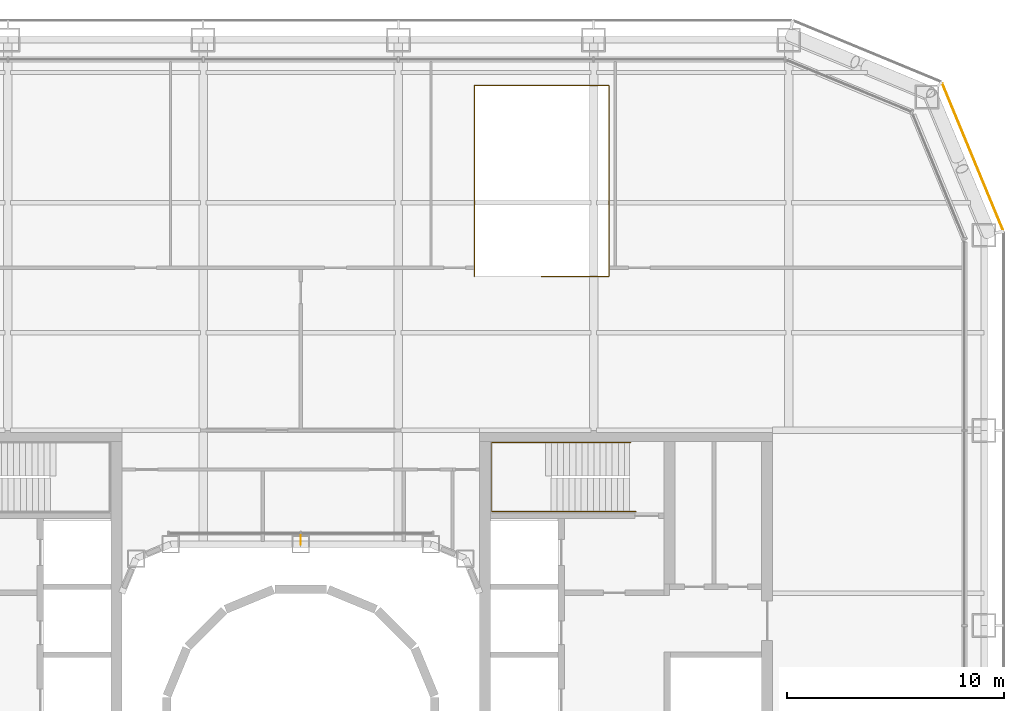
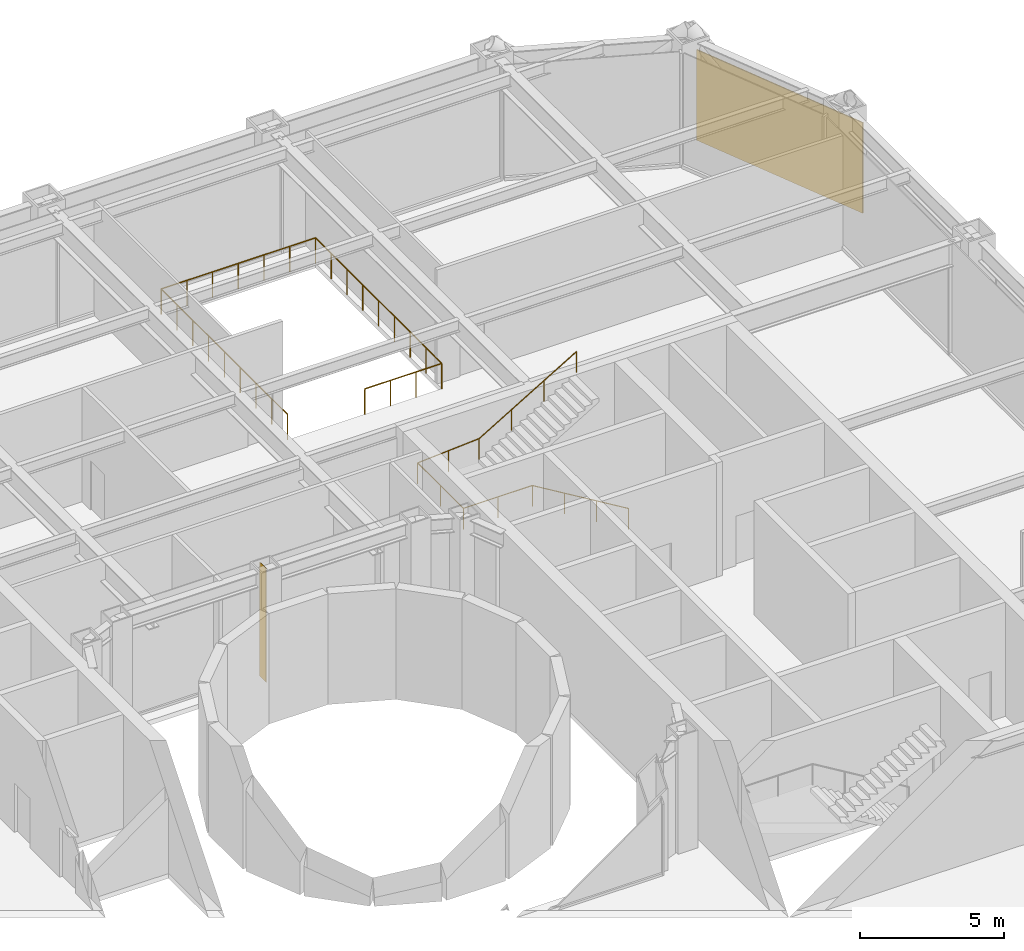
# One storey, part 23 of 24: 2 railings, 1 covering, 1 shading device.
"""IFC4 building model written with IfcOpenShell, lengths in metres."""

import ifcopenshell
import ifcopenshell.guid

model = None  # the IFC model being written
_history = None  # IfcOwnerHistory: only IFC2X3 demands one
_inside = {}  # id of a spatial element -> (the spatial element, [elements in it])
_under = {}  # id of a project, library or spatial element -> (it, [spatial elements below it])
_declared = {}  # id of a project -> (the project, [libraries it declares])
_typed = {}  # id of a type object -> (the type object, [elements of that type])
_made_of = {}  # id of a material, layer set ... -> (it, [elements and type objects made of it])


def new_model(schema):
    """Start an empty IFC model of exactly this schema.

    Asked for "IFC4X3", IfcOpenShell would pick the latest addendum, in which some entities
    have other attributes; the version numbers below select the first issue.
    IFC2X3 requires an IfcOwnerHistory on every rooted entity: one is made here for all.
    """
    global model, _history
    if schema == "IFC4X3":
        model = ifcopenshell.file(schema_version=(4, 3, 0, 0))
    else:
        model = ifcopenshell.file(schema=schema)
    _inside.clear()
    _under.clear()
    _declared.clear()
    _typed.clear()
    _made_of.clear()
    _history = None
    if model.schema == "IFC2X3":
        org = make("IfcOrganization", Name="unknown")
        user = make(
            "IfcPersonAndOrganization",
            ThePerson=make("IfcPerson", FamilyName="unknown"),
            TheOrganization=org,
        )
        app = make(
            "IfcApplication",
            ApplicationDeveloper=org,
            Version="unknown",
            ApplicationFullName="unknown",
            ApplicationIdentifier="unknown",
        )
        _history = make(
            "IfcOwnerHistory",
            OwningUser=user,
            OwningApplication=app,
            ChangeAction="ADDED",
            CreationDate=0,
        )
    return model


def make(cls, **values):
    """One entity of the class cls with the attributes given. An attribute that is None is left unset."""
    return model.create_entity(
        cls, **{name: value for name, value in values.items() if value is not None}
    )


def rooted(cls, **values):
    """An entity with a GlobalId (a new one), such as an element, a storey or a relation."""
    return make(cls, GlobalId=ifcopenshell.guid.new(), OwnerHistory=_history, **values)


def si_unit(unit_type, name, prefix=None):
    """IfcSIUnit, for example si_unit("LENGTHUNIT", "METRE", prefix="MILLI")."""
    return make("IfcSIUnit", UnitType=unit_type, Prefix=prefix, Name=name)


def assignment(units):
    """IfcUnitAssignment: the units of a project."""
    return None if units is None else make("IfcUnitAssignment", Units=units)


def point(xyz):
    """IfcCartesianPoint."""
    return None if xyz is None else make("IfcCartesianPoint", Coordinates=xyz)


def direction(xyz):
    """IfcDirection."""
    return None if xyz is None else make("IfcDirection", DirectionRatios=xyz)


def frame(location, z_axis=None, x_axis=None):
    """IfcAxis2Placement3D, a coordinate frame: its origin and axes. An axis left out is left unset."""
    return make(
        "IfcAxis2Placement3D",
        Location=point(location),
        Axis=direction(z_axis),
        RefDirection=direction(x_axis),
    )


def frame_2d(location, x_axis=None):
    """IfcAxis2Placement2D, a coordinate frame in the plane: its origin and x axis."""
    return make(
        "IfcAxis2Placement2D", Location=point(location), RefDirection=direction(x_axis)
    )


def origin():
    """The frame at (0, 0, 0) with its axes left unset."""
    return frame((0.0, 0.0, 0.0))


def origin_2d():
    """The frame at (0, 0) in the plane with its x axis left unset."""
    return frame_2d((0.0, 0.0))


def place(relative_to, where):
    """IfcLocalPlacement: puts the frame where relative to a parent placement (None: the world)."""
    return make(
        "IfcLocalPlacement", PlacementRelTo=relative_to, RelativePlacement=where
    )


def context(
    kind, dimensions, precision=None, world=None, true_north=None, identifier=None
):
    """IfcGeometricRepresentationContext, for example the 3D "Model" context."""
    return make(
        "IfcGeometricRepresentationContext",
        ContextIdentifier=identifier,
        ContextType=kind,
        CoordinateSpaceDimension=dimensions,
        Precision=precision,
        WorldCoordinateSystem=world,
        TrueNorth=true_north,
    )


def subcontext(parent, identifier, kind, view, scale=None):
    """IfcGeometricRepresentationSubContext, for example "Body" below "Model"."""
    return make(
        "IfcGeometricRepresentationSubContext",
        ContextIdentifier=identifier,
        ContextType=kind,
        ParentContext=parent,
        TargetScale=scale,
        TargetView=view,
    )


def project(units=None, contexts=None):
    """IfcProject with its units and contexts."""
    return rooted(
        "IfcProject",
        Name="project",
        RepresentationContexts=contexts,
        UnitsInContext=assignment(units),
    )


def spatial(cls, under=None, at=None, **own):
    """A site, building, storey or space (cls), placed at a placement, below another one or the project."""
    s = rooted(cls, ObjectPlacement=at, **own)
    if under is not None:
        _under.setdefault(under.id(), (under, []))[1].append(s)
    return s


def profile(cls, at=None, kind="AREA", **sizes):
    """A parametric profile (cls). Its sizes go by their IFC names, for example OverallWidth=200.0."""
    return make(cls, ProfileType=kind, Position=at, **sizes)


def rectangle(**sizes):
    """IfcRectangleProfileDef."""
    return profile("IfcRectangleProfileDef", **sizes)


def circle(**sizes):
    """IfcCircleProfileDef."""
    return profile("IfcCircleProfileDef", **sizes)


def extrude(swept, where, along, depth):
    """IfcExtrudedAreaSolid: the profile swept, set in the frame where, extruded along a direction by depth."""
    return make(
        "IfcExtrudedAreaSolid",
        SweptArea=swept,
        Position=where,
        ExtrudedDirection=direction(along),
        Depth=depth,
    )


def shape(context_of_items, identifier, shape_type, items):
    """IfcShapeRepresentation: the items that make up one representation, for example the "Body"."""
    return make(
        "IfcShapeRepresentation",
        ContextOfItems=context_of_items,
        RepresentationIdentifier=identifier,
        RepresentationType=shape_type,
        Items=items,
    )


def material(Name=None, Category=None):
    """IfcMaterial."""
    return make("IfcMaterial", Name=Name, Category=Category)


def layer(
    of_material, thickness, ventilated=None, Name=None, Category=None, Priority=None
):
    """IfcMaterialLayer: one layer of a wall or slab, of a material (None: an air gap)."""
    return make(
        "IfcMaterialLayer",
        Material=of_material,
        LayerThickness=thickness,
        IsVentilated=ventilated,
        Name=Name,
        Category=Category,
        Priority=Priority,
    )


def layer_set(layers, Name=None):
    """IfcMaterialLayerSet."""
    return make("IfcMaterialLayerSet", MaterialLayers=layers, LayerSetName=Name)


def made_of(thing, what):
    """Note that an element or type object is made of a material, layer set ...; save() writes the relation."""
    if what is not None:
        _made_of.setdefault(what.id(), (what, []))[1].append(thing)
    return thing


def type_object(cls, material=None, **own):
    """A type object (cls), such as IfcWallType, which elements share."""
    return made_of(rooted(cls, **own), material)


def element(
    cls,
    number,
    at=None,
    inside=None,
    cuts=None,
    type_object=None,
    material=None,
    context=None,
    identifier="Body",
    shape_type=None,
    held_by="IfcProductDefinitionShape",
    body=None,
    shapes=None,
    **own,
):
    """One element of the class cls, such as IfcWall. Its Tag is "e" and its number.

    at: its placement. inside: the storey or other place that contains it. cuts: it is an
    opening in that element (IfcRelVoidsElement). A single representation is given by context,
    identifier, shape_type and body (its items); several are given by shapes. held_by: the class
    of the entity that holds the representations. save() writes the other relations.
    """
    e = rooted(cls, Tag="e%d" % number, ObjectPlacement=at, **own)
    if body is not None:
        shapes = [shape(context, identifier, shape_type, body)]
    if shapes is not None:
        e.Representation = make(held_by, Representations=shapes)
    if inside is not None:
        _inside.setdefault(inside.id(), (inside, []))[1].append(e)
    if cuts is not None:
        rooted(
            "IfcRelVoidsElement", RelatingBuildingElement=cuts, RelatedOpeningElement=e
        )
    if type_object is not None:
        _typed.setdefault(type_object.id(), (type_object, []))[1].append(e)
    return made_of(e, material)


def aggregate(whole, parts):
    """IfcRelAggregates: a whole, such as a stair, and the parts it consists of."""
    return rooted("IfcRelAggregates", RelatingObject=whole, RelatedObjects=parts)


def save(model, path):
    """Write the relations noted so far, then the file.

    IfcRelAggregates (storeys below a building ...), IfcRelContainedInSpatialStructure (elements
    in a storey), IfcRelDefinesByType, IfcRelAssociatesMaterial and IfcRelDeclares: one each for
    every whole, place, type object, material and project.
    """
    for whole, parts in _under.values():
        aggregate(whole, parts)
    for where, things in _inside.values():
        rooted(
            "IfcRelContainedInSpatialStructure",
            RelatedElements=things,
            RelatingStructure=where,
        )
    for kind, things in _typed.values():
        rooted("IfcRelDefinesByType", RelatedObjects=things, RelatingType=kind)
    for what, things in _made_of.values():
        rooted("IfcRelAssociatesMaterial", RelatedObjects=things, RelatingMaterial=what)
    for by, libraries in _declared.values():
        rooted("IfcRelDeclares", RelatingContext=by, RelatedDefinitions=libraries)
    model.write(path)


model = new_model("IFC4")

# Units and contexts
model_context = context("Model", 3, precision=1e-05, world=origin(), true_north=direction((0.0, 1.0)))
body_context = subcontext(model_context, "Body", "Model", "MODEL_VIEW")
ifc_project = project(units=[si_unit("LENGTHUNIT", "METRE"), si_unit("AREAUNIT", "SQUARE_METRE"), si_unit("VOLUMEUNIT", "CUBIC_METRE"), si_unit("PLANEANGLEUNIT", "RADIAN"), si_unit("MASSUNIT", "GRAM", prefix="KILO")], contexts=[model_context])

# Site, building, storey
site_placement = place(None, origin())
site = spatial("IfcSite", under=ifc_project, at=site_placement, CompositionType="ELEMENT")
building_placement = place(site_placement, origin())
building = spatial("IfcBuilding", under=site, at=building_placement, Name="Siwar Civic Tower", CompositionType="ELEMENT")
storey_placement = place(building_placement, frame((0.0, 0.0, 12.199951171875)))
storey = spatial("IfcBuildingStorey", under=building, at=storey_placement, Name="L02", CompositionType="ELEMENT", Elevation=12.199951171875)

# Railing
ifc_material_1 = material(Name="Stainless steel", Category="steel")
railing_type_1 = type_object("IfcRailingType", Name="CORE-STAIR-HANDRAIL", PredefinedType="HANDRAIL", material=ifc_material_1)
railing_1_placement = place(storey_placement, frame((15.449951171875, 9.758056640625, 0.166748046875)))
element("IfcRailing", 1, at=railing_1_placement, inside=storey, type_object=railing_type_1, Name="Stair handrail ST3", PredefinedType="HANDRAIL", context=body_context, shape_type="SweptSolid", body=[
    extrude(circle(Radius=0.02001953125, at=origin_2d()), frame((0.0, 0.0, 0.8798828125), z_axis=(-0.856384976194, 0.0, 0.516337847296), x_axis=(0.0, -1.0, 0.0)), (0.0, 0.0, 1.0), 4.518798828125),
    extrude(circle(Radius=0.02001953125, at=origin_2d()), frame((-3.869873046875, 0.0, 3.213134765625), z_axis=(-1.0, 0.0, 0.0), x_axis=(0.0, -1.0, 0.0)), (0.0, 0.0, 1.0), 2.77197265625),
    extrude(circle(Radius=0.02001953125, at=origin_2d()), frame((-6.641845703125, 0.0, 3.213134765625), z_axis=(0.0, 1.0, 0.0), x_axis=(-1.0, 0.0, 0.0)), (0.0, 0.0, 1.0), 3.183837890625),
    extrude(circle(Radius=0.02001953125, at=origin_2d()), frame((-6.641845703125, 3.183837890625, 3.213134765625), z_axis=(0.997732526271, 0.0, 0.067303833624), x_axis=(0.0, 1.0, 0.0)), (0.0, 0.0, 1.0), 2.4775390625),
    extrude(circle(Radius=0.02001953125, at=origin_2d()), frame((-4.169921875, 3.183837890625, 3.3798828125), z_axis=(0.859296244711, 0.0, 0.511478214419), x_axis=(0.0, 1.0, 0.0)), (0.0, 0.0, 1.0), 4.561767578125),
    extrude(circle(Radius=0.02001953125, at=origin_2d()), origin(), (0.0, 0.0, 1.0), 0.85986328125),
    extrude(circle(Radius=0.02001953125, at=origin_2d()), frame((-1.2900390625, 0.0, 0.77783203125)), (0.0, 0.0, 1.0), 0.85986328125),
    extrude(circle(Radius=0.02001953125, at=origin_2d()), frame((-2.579833984375, 0.0, 1.555419921875)), (0.0, 0.0, 1.0), 0.85986328125),
    extrude(circle(Radius=0.02001953125, at=origin_2d()), frame((-3.869873046875, 0.0, 2.333251953125)), (0.0, 0.0, 1.0), 0.85986328125),
    extrude(circle(Radius=0.02001953125, at=origin_2d()), frame((-5.255859375, 0.0, 2.333251953125)), (0.0, 0.0, 1.0), 0.85986328125),
    extrude(circle(Radius=0.02001953125, at=origin_2d()), frame((-6.641845703125, 0.0, 2.333251953125)), (0.0, 0.0, 1.0), 0.85986328125),
    extrude(circle(Radius=0.02001953125, at=origin_2d()), frame((-6.641845703125, 1.591796875, 2.333251953125)), (0.0, 0.0, 1.0), 0.85986328125),
    extrude(circle(Radius=0.02001953125, at=origin_2d()), frame((-6.641845703125, 3.183837890625, 2.333251953125)), (0.0, 0.0, 1.0), 0.85986328125),
    extrude(circle(Radius=0.02001953125, at=origin_2d()), frame((-5.40576171875, 3.183837890625, 2.41650390625)), (0.0, 0.0, 1.0), 0.85986328125),
    extrude(circle(Radius=0.02001953125, at=origin_2d()), frame((-4.169921875, 3.183837890625, 2.5)), (0.0, 0.0, 1.0), 0.85986328125),
    extrude(circle(Radius=0.02001953125, at=origin_2d()), frame((-2.86328125, 3.183837890625, 3.27783203125)), (0.0, 0.0, 1.0), 0.85986328125),
    extrude(circle(Radius=0.02001953125, at=origin_2d()), frame((-1.556640625, 3.183837890625, 4.055419921875)), (0.0, 0.0, 1.0), 0.85986328125),
    extrude(circle(Radius=0.02001953125, at=origin_2d()), frame((-0.25, 3.183837890625, 4.833251953125)), (0.0, 0.0, 1.0), 0.85986328125),
])

# Shading device
ifc_material_2 = material(Name="Aluminium 6063-T6", Category="aluminium")
ifc_layer_1 = layer(ifc_material_2, 0.02001953125)
ifc_layer_set_1 = layer_set([ifc_layer_1], Name="Aluminium 6063-T6")
shading_device_type = type_object("IfcShadingDeviceType", Name="ENV-FIN", PredefinedType="JALOUSIE", material=ifc_layer_set_1)
shading_device_placement = place(storey_placement, frame((0.0, 8.445068359375, 0.0), z_axis=(0.0, 0.0, 1.0), x_axis=(-1.0, 0.0, 0.0)))
element("IfcShadingDevice", 2, at=shading_device_placement, inside=storey, type_object=shading_device_type, Name="SUNSHADE fin WN 1", PredefinedType="JALOUSIE", context=body_context, shape_type="SweptSolid", body=[
    extrude(rectangle(XDim=0.02001953125, YDim=0.449951171875, at=origin_2d()), origin(), (0.0, 0.0, 1.0), 4.85009765625),
])

# Covering
ifc_material_3 = material(Name="Perforated aluminium cassette, pale metal", Category="aluminium")
ifc_layer_2 = layer(ifc_material_3, 0.0400390625)
ifc_layer_set_2 = layer_set([ifc_layer_2], Name="Perforated aluminium cassette, pale metal")
covering_type = type_object("IfcCoveringType", Name="ENV-OUTER SKIN OS-1", PredefinedType="CLADDING", material=ifc_layer_set_2)
covering_placement = place(storey_placement, frame((30.976318359375, 26.115966796875, -0.199951171875), z_axis=(0.0, 0.0, 1.0), x_axis=(-0.382683432365, 0.923879532511, 0.0)))
element("IfcCovering", 3, at=covering_placement, inside=storey, type_object=covering_type, Name="OUTER SKIN OS-1 NE1 1", PredefinedType="CLADDING", context=body_context, shape_type="SweptSolid", body=[
    extrude(rectangle(XDim=7.300048828125, YDim=0.0400390625, at=origin_2d()), origin(), (0.0, 0.0, 1.0), 3.85009765625),
])

# Railing
ifc_material_4 = material(Name="Stainless steel", Category="steel")
railing_type_2 = type_object("IfcRailingType", Name="GND-RAIL", PredefinedType="GUARDRAIL", material=ifc_material_4)
railing_2_placement = place(storey_placement, frame((11.10009765625, 20.60009765625, 0.0)))
element("IfcRailing", 4, at=railing_2_placement, inside=storey, type_object=railing_type_2, Name="Opening guard GS2", PredefinedType="GUARDRAIL", context=body_context, shape_type="SweptSolid", body=[
    extrude(circle(Radius=0.02392578125, at=origin_2d()), frame((0.0, 0.0, 1.076171875), z_axis=(1.0, 0.0, 0.0), x_axis=(0.0, 1.0, 0.0)), (0.0, 0.0, 1.0), 3.099853515625),
    extrude(circle(Radius=0.02392578125, at=origin_2d()), frame((3.099853515625, 0.0, 1.076171875), z_axis=(0.0, 1.0, 0.0), x_axis=(-1.0, 0.0, 0.0)), (0.0, 0.0, 1.0), 8.7998046875),
    extrude(circle(Radius=0.02392578125, at=origin_2d()), frame((3.099853515625, 8.7998046875, 1.076171875), z_axis=(-1.0, 0.0, 0.0), x_axis=(0.0, -1.0, 0.0)), (0.0, 0.0, 1.0), 6.199951171875),
    extrude(circle(Radius=0.02392578125, at=origin_2d()), frame((-3.10009765625, 8.7998046875, 1.076171875), z_axis=(0.0, -1.0, 0.0), x_axis=(1.0, 0.0, 0.0)), (0.0, 0.0, 1.0), 8.7998046875),
    extrude(circle(Radius=0.02099609375, at=origin_2d()), origin(), (0.0, 0.0, 1.0), 1.052001953125),
    extrude(circle(Radius=0.02099609375, at=origin_2d()), frame((1.033203125, 0.0, 0.0)), (0.0, 0.0, 1.0), 1.052001953125),
    extrude(circle(Radius=0.02099609375, at=origin_2d()), frame((2.066650390625, 0.0, 0.0)), (0.0, 0.0, 1.0), 1.052001953125),
    extrude(circle(Radius=0.02099609375, at=origin_2d()), frame((3.099853515625, 0.0, 0.0)), (0.0, 0.0, 1.0), 1.052001953125),
    extrude(circle(Radius=0.02099609375, at=origin_2d()), frame((3.099853515625, 1.10009765625, 0.0)), (0.0, 0.0, 1.0), 1.052001953125),
    extrude(circle(Radius=0.02099609375, at=origin_2d()), frame((3.099853515625, 2.199951171875, 0.0)), (0.0, 0.0, 1.0), 1.052001953125),
    extrude(circle(Radius=0.02099609375, at=origin_2d()), frame((3.099853515625, 3.2998046875, 0.0)), (0.0, 0.0, 1.0), 1.052001953125),
    extrude(circle(Radius=0.02099609375, at=origin_2d()), frame((3.099853515625, 4.39990234375, 0.0)), (0.0, 0.0, 1.0), 1.052001953125),
    extrude(circle(Radius=0.02099609375, at=origin_2d()), frame((3.099853515625, 5.5, 0.0)), (0.0, 0.0, 1.0), 1.052001953125),
    extrude(circle(Radius=0.02099609375, at=origin_2d()), frame((3.099853515625, 6.599853515625, 0.0)), (0.0, 0.0, 1.0), 1.052001953125),
    extrude(circle(Radius=0.02099609375, at=origin_2d()), frame((3.099853515625, 7.69970703125, 0.0)), (0.0, 0.0, 1.0), 1.052001953125),
    extrude(circle(Radius=0.02099609375, at=origin_2d()), frame((3.099853515625, 8.7998046875, 0.0)), (0.0, 0.0, 1.0), 1.052001953125),
    extrude(circle(Radius=0.02099609375, at=origin_2d()), frame((2.06640625, 8.7998046875, 0.0)), (0.0, 0.0, 1.0), 1.052001953125),
    extrude(circle(Radius=0.02099609375, at=origin_2d()), frame((1.033203125, 8.7998046875, 0.0)), (0.0, 0.0, 1.0), 1.052001953125),
    extrude(circle(Radius=0.02099609375, at=origin_2d()), frame((0.0, 8.7998046875, 0.0)), (0.0, 0.0, 1.0), 1.052001953125),
    extrude(circle(Radius=0.02099609375, at=origin_2d()), frame((-1.033447265625, 8.7998046875, 0.0)), (0.0, 0.0, 1.0), 1.052001953125),
    extrude(circle(Radius=0.02099609375, at=origin_2d()), frame((-2.06689453125, 8.7998046875, 0.0)), (0.0, 0.0, 1.0), 1.052001953125),
    extrude(circle(Radius=0.02099609375, at=origin_2d()), frame((-3.10009765625, 8.7998046875, 0.0)), (0.0, 0.0, 1.0), 1.052001953125),
    extrude(circle(Radius=0.02099609375, at=origin_2d()), frame((-3.10009765625, 7.69970703125, 0.0)), (0.0, 0.0, 1.0), 1.052001953125),
    extrude(circle(Radius=0.02099609375, at=origin_2d()), frame((-3.10009765625, 6.599853515625, 0.0)), (0.0, 0.0, 1.0), 1.052001953125),
    extrude(circle(Radius=0.02099609375, at=origin_2d()), frame((-3.10009765625, 5.5, 0.0)), (0.0, 0.0, 1.0), 1.052001953125),
    extrude(circle(Radius=0.02099609375, at=origin_2d()), frame((-3.10009765625, 4.39990234375, 0.0)), (0.0, 0.0, 1.0), 1.052001953125),
    extrude(circle(Radius=0.02099609375, at=origin_2d()), frame((-3.10009765625, 3.2998046875, 0.0)), (0.0, 0.0, 1.0), 1.052001953125),
    extrude(circle(Radius=0.02099609375, at=origin_2d()), frame((-3.10009765625, 2.199951171875, 0.0)), (0.0, 0.0, 1.0), 1.052001953125),
    extrude(circle(Radius=0.02099609375, at=origin_2d()), frame((-3.10009765625, 1.10009765625, 0.0)), (0.0, 0.0, 1.0), 1.052001953125),
    extrude(circle(Radius=0.02099609375, at=origin_2d()), frame((-3.10009765625, 0.0, 0.0)), (0.0, 0.0, 1.0), 1.052001953125),
])

save(model, "model.ifc")
